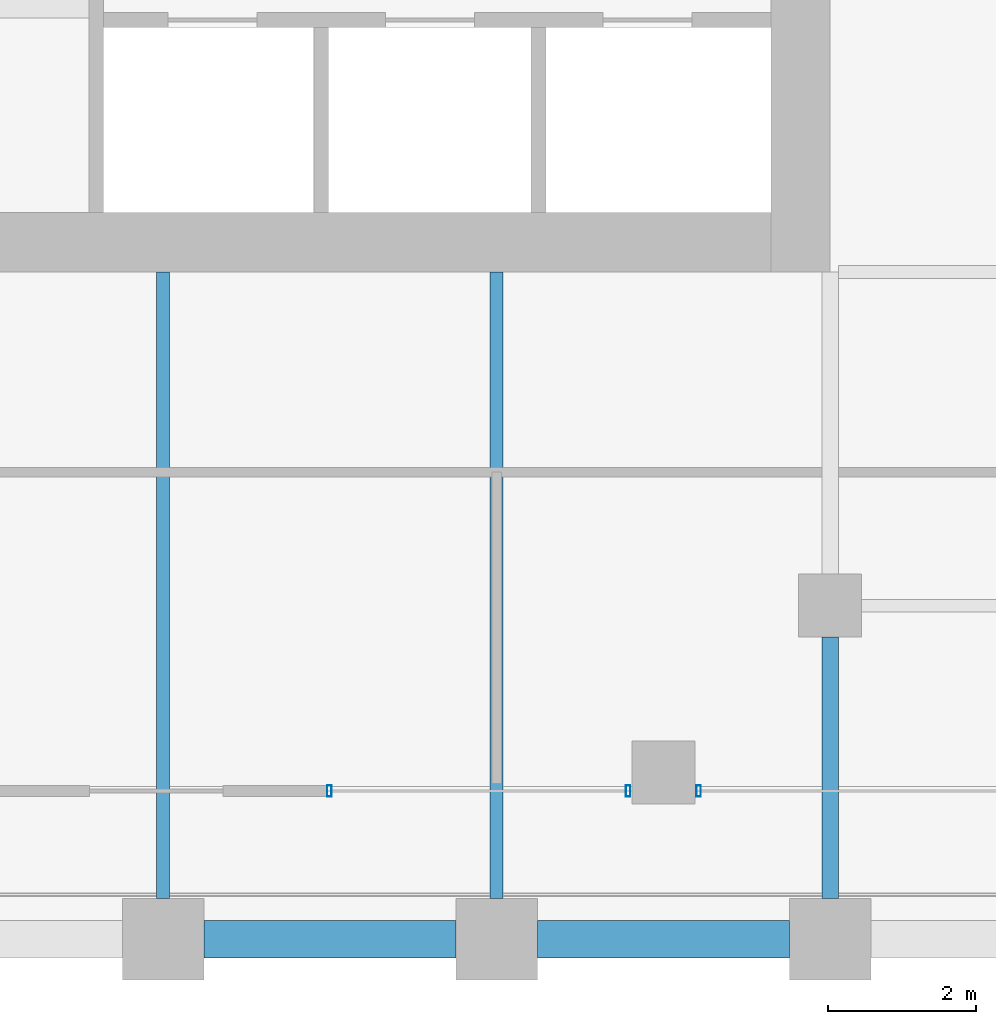
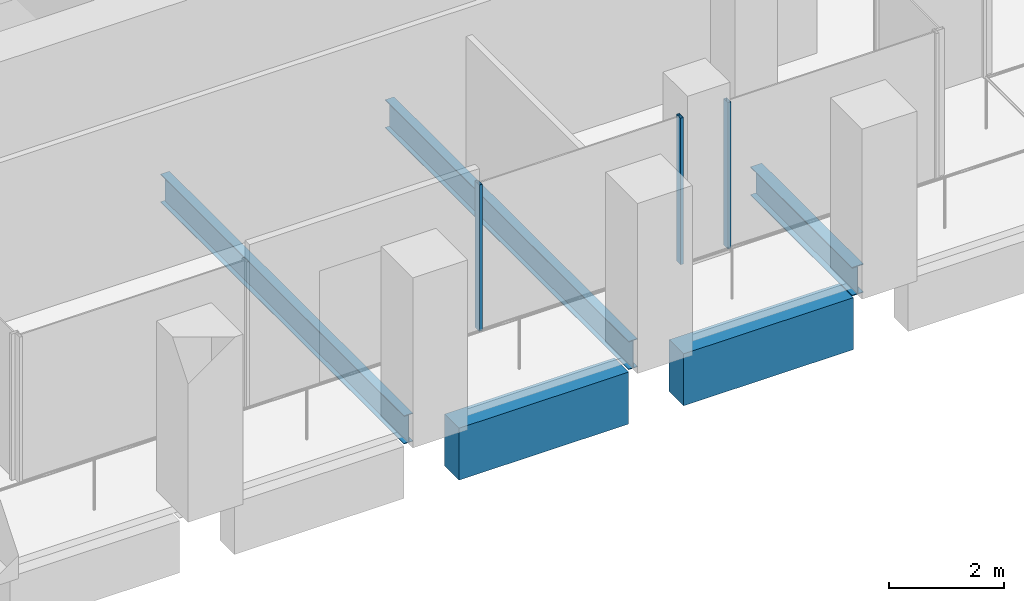
# One storey, part 37 of 54: 5 beams, 3 members, 2 elements without a shape of their own.
"""IFC4 building model written with IfcOpenShell, lengths in metres."""

from ifc_helpers import new_model, si_unit, direction, frame, origin, origin_2d, place, context, subcontext, project, spatial, rectangle, hollow_rectangle, i_section, extrude, material, material_profile, profile_set, type_object, element, aggregate, save


model = new_model("IFC4")

# Units and contexts
model_context = context("Model", 3, precision=1e-05, world=origin(), true_north=direction((0.0, 1.0)))
body_context = subcontext(model_context, "Body", "Model", "MODEL_VIEW")
ifc_project = project(units=[si_unit("LENGTHUNIT", "METRE"), si_unit("AREAUNIT", "SQUARE_METRE"), si_unit("VOLUMEUNIT", "CUBIC_METRE"), si_unit("PLANEANGLEUNIT", "RADIAN"), si_unit("MASSUNIT", "GRAM", prefix="KILO")], contexts=[model_context])

# Site, building, storey
site_placement = place(None, origin())
site = spatial("IfcSite", under=ifc_project, at=site_placement, CompositionType="ELEMENT")
building_placement = place(site_placement, origin())
building = spatial("IfcBuilding", under=site, at=building_placement, Name="Altepetl Exchange Towers", CompositionType="ELEMENT")
storey_placement = place(building_placement, frame((0.0, 0.0, 65.39990234375)))
storey = spatial("IfcBuildingStorey", under=building, at=storey_placement, Name="L15", CompositionType="ELEMENT", Elevation=65.39990234375)

# Beams
ifc_material_1 = material(Name="Steel S355", Category="steel")
ifc_material_profile_1 = material_profile(ifc_material_1, i_section(OverallWidth=0.177978515625, OverallDepth=0.59912109375, WebThickness=0.010009765625, FlangeThickness=0.0126953125, at=origin_2d()), Name="W24X55")
ifc_profile_set_1 = profile_set([ifc_material_profile_1], Name="Steel S355")
beam_type_1 = type_object("IfcBeamType", Name="Floor beam W24X55", PredefinedType="BEAM", material=ifc_profile_set_1)
for number, where, z_axis, x_axis, name in (
    (1, (108.0, 27.550048828125, -0.449462890625), (0.0, 1.0, 0.0), (-1.0, 0.0, 0.0), "bm:B:L15:010"),
    (2, (112.5, 27.550048828125, -0.449462890625), (0.0, 1.0, 0.0), (-1.0, 0.0, 0.0), "bm:B:L15:011"),
):
    element("IfcBeam", number, at=place(storey_placement, frame(where, z_axis=z_axis, x_axis=x_axis)), inside=storey, type_object=beam_type_1, Name=name, PredefinedType="BEAM", context=body_context, shape_type="SweptSolid", body=[
        extrude(i_section(OverallWidth=0.177978515625, OverallDepth=0.59912109375, WebThickness=0.010009765625, FlangeThickness=0.0126953125, at=origin_2d()), origin(), (0.0, 0.0, 1.0), 8.449951171875),
    ])
ifc_material_profile_2 = material_profile(ifc_material_1, i_section(OverallWidth=0.22802734375, OverallDepth=0.60791015625, WebThickness=0.01123046875, FlangeThickness=0.017333984375, at=origin_2d()), Name="W24X76")
ifc_profile_set_2 = profile_set([ifc_material_profile_2], Name="Steel S355")
beam_type_2 = type_object("IfcBeamType", Name="Girder W24X76", PredefinedType="BEAM", material=ifc_profile_set_2)
beam_placement = place(storey_placement, frame((117.0, 31.074951171875, -0.453857421875), z_axis=(0.0, -1.0, 0.0), x_axis=(1.0, 0.0, 0.0)))
element("IfcBeam", 3, at=beam_placement, inside=storey, type_object=beam_type_2, Name="gd:B:L15:005", PredefinedType="BEAM", context=body_context, shape_type="SweptSolid", body=[
    extrude(i_section(OverallWidth=0.22802734375, OverallDepth=0.60791015625, WebThickness=0.01123046875, FlangeThickness=0.017333984375, at=origin_2d()), origin(), (0.0, 0.0, 1.0), 3.52490234375),
])

# Curtain wall, members
ifc_material_2 = material(Name="Aluminium 6063-T6 glazing", Category="aluminium")
curtain_wall_type = type_object("IfcCurtainWallType", Name="Loggia glazing system", PredefinedType="NOTDEFINED", material=ifc_material_2)
curtain_wall_1_placement = place(storey_placement, origin())
curtain_wall_1 = element("IfcCurtainWall", 4, at=curtain_wall_1_placement, inside=storey, type_object=curtain_wall_type, Name="CW1 run", PredefinedType="NOTDEFINED")
ifc_material_3 = material(Name="Aluminium 6063-T6", Category="aluminium")
ifc_material_profile_3 = material_profile(ifc_material_3, hollow_rectangle(XDim=0.06005859375, YDim=0.14990234375, WallThickness=0.0029296875, at=origin_2d()), Name="Mullion 60x150 aluminium")
ifc_profile_set_3 = profile_set([ifc_material_profile_3], Name="Aluminium 6063-T6")
member_type = type_object("IfcMemberType", Name="Mullion 60x150 aluminium", PredefinedType="MULLION", material=ifc_profile_set_3)
member_1_placement = place(storey_placement, frame((110.242431640625, 29.0, 0.0)))
member_1 = element("IfcMember", 5, at=member_1_placement, type_object=member_type, Name="MU1 mullion", PredefinedType="MULLION", context=body_context, shape_type="SweptSolid", body=[
    extrude(hollow_rectangle(XDim=0.06005859375, YDim=0.14990234375, WallThickness=0.0029296875, at=origin_2d()), origin(), (0.0, 0.0, 1.0), 3.10009765625),
])
member_2_placement = place(storey_placement, frame((114.27490234375, 29.0, 0.0)))
member_2 = element("IfcMember", 6, at=member_2_placement, type_object=member_type, Name="MU1 mullion", PredefinedType="MULLION", context=body_context, shape_type="SweptSolid", body=[
    extrude(hollow_rectangle(XDim=0.06005859375, YDim=0.14990234375, WallThickness=0.0029296875, at=origin_2d()), origin(), (0.0, 0.0, 1.0), 3.10009765625),
])
aggregate(curtain_wall_1, [member_1, member_2])

# Curtain wall, member
curtain_wall_2_placement = place(storey_placement, origin())
curtain_wall_2 = element("IfcCurtainWall", 7, at=curtain_wall_2_placement, inside=storey, type_object=curtain_wall_type, Name="CW1 run", PredefinedType="NOTDEFINED")
member_3_placement = place(storey_placement, frame((115.22509765625, 29.0, 0.0)))
member_3 = element("IfcMember", 8, at=member_3_placement, type_object=member_type, Name="MU1 mullion", PredefinedType="MULLION", context=body_context, shape_type="SweptSolid", body=[
    extrude(hollow_rectangle(XDim=0.06005859375, YDim=0.14990234375, WallThickness=0.0029296875, at=origin_2d()), origin(), (0.0, 0.0, 1.0), 3.10009765625),
])
aggregate(curtain_wall_2, [member_3])

# Beams
ifc_material_4 = material(Name="Concrete C50/60 precast with tezontle facing", Category="concrete")
ifc_material_profile_4 = material_profile(ifc_material_4, rectangle(XDim=0.5, YDim=1.10009765625, at=origin_2d()), Name="500 x 1100")
ifc_profile_set_4 = profile_set([ifc_material_profile_4], Name="Concrete C50/60 precast with tezontle facing")
beam_type_3 = type_object("IfcBeamType", Name="Spandrel beam 500x1100 tezontle", PredefinedType="SPANDREL", material=ifc_profile_set_4)
for number, where, z_axis, x_axis, name in (
    (9, (108.550048828125, 27.0, -0.699951171875), (1.0, 0.0, 0.0), (0.0, 1.0, 0.0), "sp:B:L15:002"),
    (10, (113.050048828125, 27.0, -0.699951171875), (1.0, 0.0, 0.0), (0.0, 1.0, 0.0), "sp:B:L15:003"),
):
    element("IfcBeam", number, at=place(storey_placement, frame(where, z_axis=z_axis, x_axis=x_axis)), inside=storey, type_object=beam_type_3, Name=name, PredefinedType="SPANDREL", context=body_context, shape_type="SweptSolid", body=[
        extrude(rectangle(XDim=0.5, YDim=1.10009765625, at=origin_2d()), origin(), (0.0, 0.0, 1.0), 3.39990234375),
    ])

save(model, "model.ifc")
